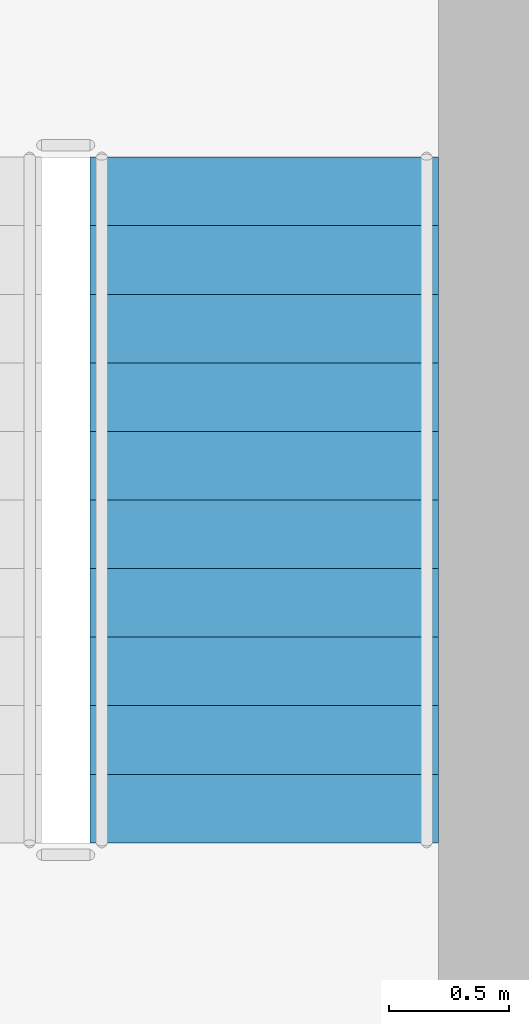
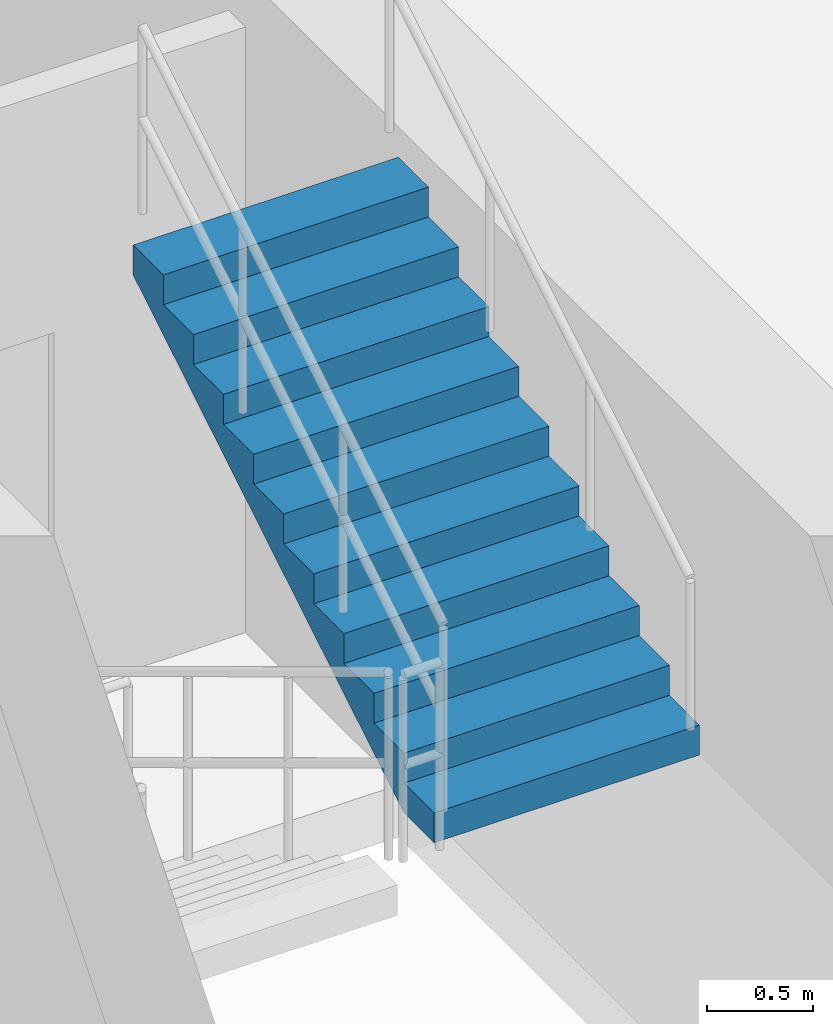
# One storey, part 24 of 25: 1 stair flight, 1 element without a shape of its own.
"""IFC4 building model written with IfcOpenShell, lengths in metres."""

from ifc_helpers import new_model, si_unit, direction, frame, origin, place, context, subcontext, project, spatial, polyline, outline, extrude, material, type_object, element, aggregate, save


model = new_model("IFC4")

# Units and contexts
model_context = context("Model", 3, precision=1e-05, world=origin(), true_north=direction((0.0, 1.0)))
body_context = subcontext(model_context, "Body", "Model", "MODEL_VIEW")
ifc_project = project(units=[si_unit("LENGTHUNIT", "METRE"), si_unit("AREAUNIT", "SQUARE_METRE"), si_unit("VOLUMEUNIT", "CUBIC_METRE"), si_unit("PLANEANGLEUNIT", "RADIAN"), si_unit("MASSUNIT", "GRAM", prefix="KILO")], contexts=[model_context])

# Site, building, storey
site_placement = place(None, origin())
site = spatial("IfcSite", under=ifc_project, at=site_placement, CompositionType="ELEMENT")
building_placement = place(site_placement, origin())
building = spatial("IfcBuilding", under=site, at=building_placement, Name="Krantzveldt Concourse Tower", CompositionType="ELEMENT")
storey_placement = place(building_placement, frame((0.0, 0.0, 370.85009765625)))
storey = spatial("IfcBuildingStorey", under=building, at=storey_placement, Name="L91", CompositionType="ELEMENT", Elevation=370.85009765625)

# Stair, stair flight
ifc_material = material(Name="Precast concrete C40/50", Category="concrete")
stair_type = type_object("IfcStairType", Name="STR-CORE-DOGLEG", PredefinedType="HALF_TURN_STAIR", material=ifc_material)
stair_placement = place(storey_placement, origin())
stair = element("IfcStair", 1, at=stair_placement, inside=storey, type_object=stair_type, Name="L91 Protected Escape Stair ST-2", PredefinedType="HALF_TURN_STAIR")
stair_flight_type = type_object("IfcStairFlightType", Name="STF-CORE-1450", PredefinedType="STRAIGHT", material=ifc_material)
stair_flight_placement = place(storey_placement, frame((42.39501953125, 16.699951171875, 1.89990234375), z_axis=(0.0, 0.0, 1.0), x_axis=(0.0, 1.0, 0.0)))
stair_flight = element("IfcStairFlight", 2, at=stair_flight_placement, type_object=stair_flight_type, Name="ST-2 flight 2", NumberOfRisers=11, NumberOfTreads=10, PredefinedType="STRAIGHT", RiserHeight=0.172727273, TreadLength=0.285, context=body_context, shape_type="SweptSolid", body=[
    extrude(outline(polyline([(0.0, 0.0), (0.0, 0.172607421875), (0.284912109375, 0.172607421875), (0.284912109375, 0.345458984375), (0.570068359375, 0.345458984375), (0.570068359375, 0.51806640625), (0.85498046875, 0.51806640625), (0.85498046875, 0.69091796875), (1.139892578125, 0.69091796875), (1.139892578125, 0.863525390625), (1.425048828125, 0.863525390625), (1.425048828125, 1.036376953125), (1.7099609375, 1.036376953125), (1.7099609375, 1.208984375), (1.9951171875, 1.208984375), (1.9951171875, 1.3818359375), (2.280029296875, 1.3818359375), (2.280029296875, 1.554443359375), (2.56494140625, 1.554443359375), (2.56494140625, 1.727294921875), (2.85009765625, 1.727294921875), (2.85009765625, 1.89990234375), (2.85009765625, 1.552001953125), (0.289306640625, 0.0), (0.0, 0.0)])), frame((0.0, 0.72509765625, 0.0), z_axis=(0.0, -1.0, 0.0), x_axis=(1.0, 0.0, 0.0)), (0.0, 0.0, 1.0), 1.449951171875),
])
aggregate(stair, [stair_flight])

save(model, "model.ifc")
